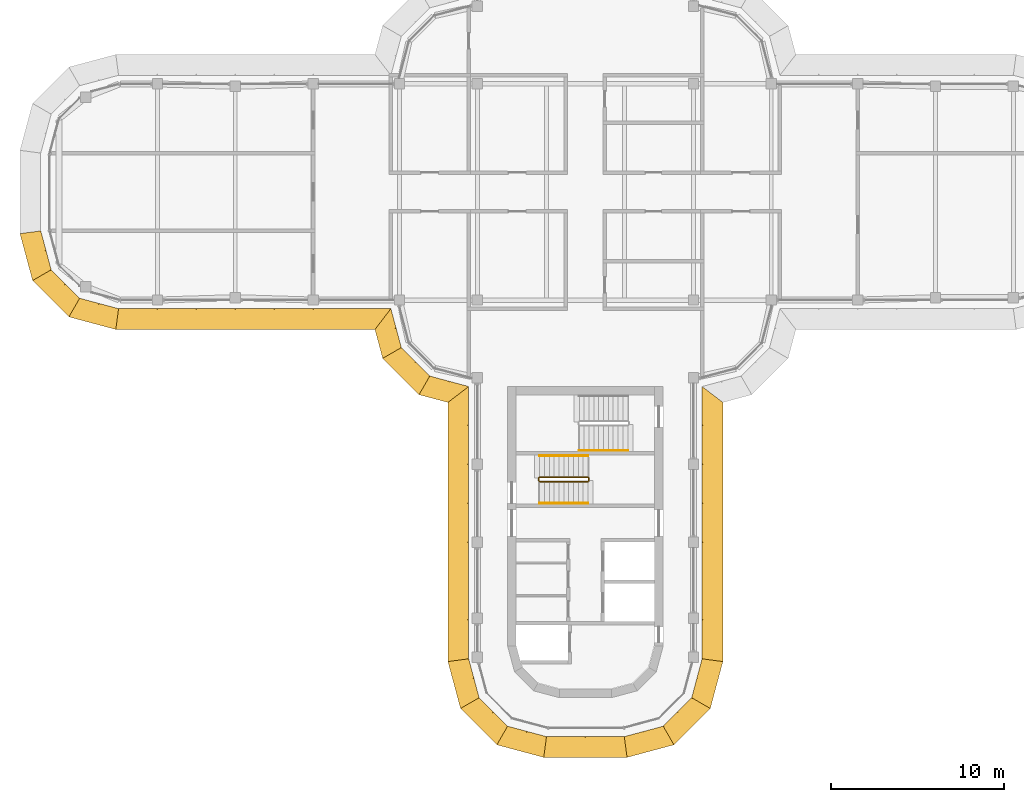
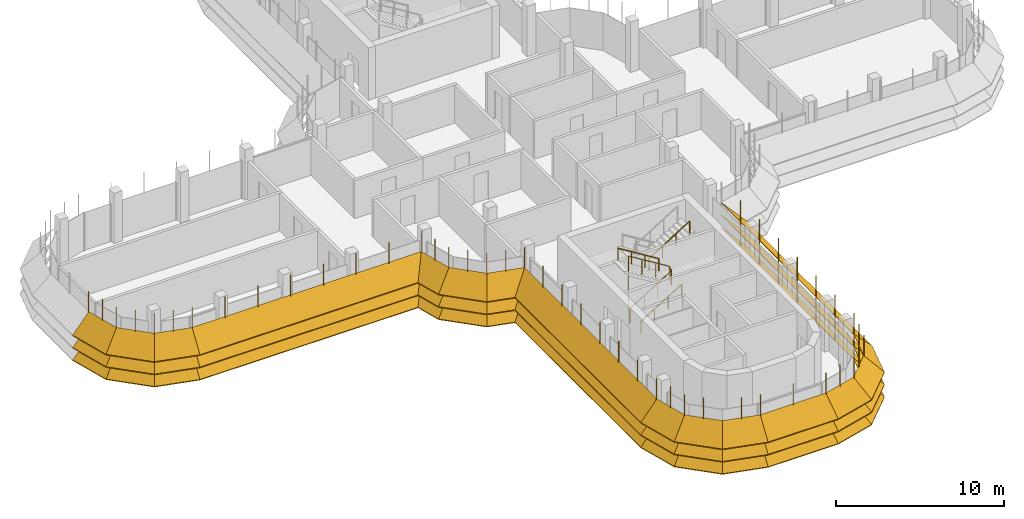
# One storey, part 16 of 19: 8 shading devices, 4 railings.
"""IFC4 building model written with IfcOpenShell, lengths in metres."""

from ifc_helpers import new_model, si_unit, direction, frame, origin, origin_2d, place, context, subcontext, project, spatial, polyline, circle, outline, extrude, faceted_brep, source, transform, mapped, material, type_object, element, save


model = new_model("IFC4")

# Units and contexts
model_context = context("Model", 3, precision=1e-05, world=origin(), true_north=direction((0.0, 1.0)))
body_context = subcontext(model_context, "Body", "Model", "MODEL_VIEW")
ifc_project = project(units=[si_unit("LENGTHUNIT", "METRE"), si_unit("AREAUNIT", "SQUARE_METRE"), si_unit("VOLUMEUNIT", "CUBIC_METRE"), si_unit("PLANEANGLEUNIT", "RADIAN"), si_unit("MASSUNIT", "GRAM", prefix="KILO")], contexts=[model_context])

# Site, building, storey
site_placement = place(None, origin())
site = spatial("IfcSite", under=ifc_project, at=site_placement, CompositionType="ELEMENT")
building_placement = place(site_placement, origin())
building = spatial("IfcBuilding", under=site, at=building_placement, Name="Zarbagh Exchange Tower", CompositionType="ELEMENT")
storey_placement = place(building_placement, frame((0.0, 0.0, 268.800048828125)))
storey = spatial("IfcBuildingStorey", under=building, at=storey_placement, Name="L66", CompositionType="ELEMENT", Elevation=268.800048828125)

# Railings
ifc_material_1 = material(Name="Stainless steel", Category="steel")
railing_type_1 = type_object("IfcRailingType", Name="Stair guard 1100 mm", PredefinedType="GUARDRAIL", material=ifc_material_1)
railing_1_placement = place(storey_placement, frame((-2.64990234375, -16.75, 0.172607421875)))
element("IfcRailing", 1, at=railing_1_placement, inside=storey, type_object=railing_type_1, Name="ST3 stair guard 1", PredefinedType="GUARDRAIL", context=body_context, shape_type="SweptSolid", body=[
    extrude(circle(Radius=0.02392578125, at=origin_2d()), frame((0.0, 0.0, 1.076171875), z_axis=(0.851069175582, 0.0, 0.525053576669), x_axis=(0.0, 1.0, 0.0)), (0.0, 0.0, 1.0), 3.289794921875),
    extrude(circle(Radius=0.02392578125, at=origin_2d()), frame((2.7998046875, 0.0, 2.80322265625), z_axis=(0.707106781187, 0.707106781187, 0.0), x_axis=(-0.707106781187, 0.707106781187, 0.0)), (0.0, 0.0, 1.0), 0.07080078125),
    extrude(circle(Radius=0.02392578125, at=origin_2d()), frame((2.849853515625, 0.050048828125, 2.80322265625), z_axis=(0.0, 1.0, 0.0), x_axis=(-1.0, 0.0, 0.0)), (0.0, 0.0, 1.0), 0.14990234375),
    extrude(circle(Radius=0.02392578125, at=origin_2d()), frame((2.849853515625, 0.199951171875, 2.80322265625), z_axis=(-0.267953482034, 0.267953482034, 0.925419830635), x_axis=(-0.707106781187, -0.707106781187, 0.0)), (0.0, 0.0, 1.0), 0.186767578125),
    extrude(circle(Radius=0.02392578125, at=origin_2d()), frame((2.7998046875, 0.25, 2.97607421875), z_axis=(-0.851069175582, 0.0, 0.525053576669), x_axis=(0.0, -1.0, 0.0)), (0.0, 0.0, 1.0), 3.289794921875),
    extrude(circle(Radius=0.02392578125, at=origin_2d()), frame((0.0, 0.25, 4.70361328125), z_axis=(-0.013168290981, -0.013168290981, -0.999826581076), x_axis=(0.707106781187, -0.707106781187, 0.0)), (0.0, 0.0, 1.0), 3.80078125),
    extrude(circle(Radius=0.02392578125, at=origin_2d()), frame((-0.050048828125, 0.199951171875, 0.9033203125), z_axis=(0.0, -1.0, 0.0), x_axis=(1.0, 0.0, 0.0)), (0.0, 0.0, 1.0), 0.14990234375),
    extrude(circle(Radius=0.02099609375, at=origin_2d()), origin(), (0.0, 0.0, 1.0), 1.052001953125),
    extrude(circle(Radius=0.02099609375, at=origin_2d()), frame((0.933349609375, 0.0, 0.57568359375)), (0.0, 0.0, 1.0), 1.052001953125),
    extrude(circle(Radius=0.02099609375, at=origin_2d()), frame((1.866455078125, 0.0, 1.151611328125)), (0.0, 0.0, 1.0), 1.052001953125),
    extrude(circle(Radius=0.02099609375, at=origin_2d()), frame((2.7998046875, 0.0, 1.727294921875)), (0.0, 0.0, 1.0), 1.052001953125),
    extrude(circle(Radius=0.02099609375, at=origin_2d()), frame((2.849853515625, 0.050048828125, 1.727294921875)), (0.0, 0.0, 1.0), 1.052001953125),
    extrude(circle(Radius=0.02099609375, at=origin_2d()), frame((2.849853515625, 0.199951171875, 1.727294921875)), (0.0, 0.0, 1.0), 1.052001953125),
    extrude(circle(Radius=0.02099609375, at=origin_2d()), frame((2.7998046875, 0.25, 1.900146484375)), (0.0, 0.0, 1.0), 1.052001953125),
    extrude(circle(Radius=0.02099609375, at=origin_2d()), frame((1.866455078125, 0.25, 2.475830078125)), (0.0, 0.0, 1.0), 1.052001953125),
    extrude(circle(Radius=0.02099609375, at=origin_2d()), frame((0.933349609375, 0.25, 3.0517578125)), (0.0, 0.0, 1.0), 1.052001953125),
    extrude(circle(Radius=0.02099609375, at=origin_2d()), frame((0.0, 0.25, 3.62744140625)), (0.0, 0.0, 1.0), 1.052001953125),
    extrude(circle(Radius=0.02099609375, at=origin_2d()), frame((-0.012451171875, 0.237548828125, 2.677490234375)), (0.0, 0.0, 1.0), 1.052001953125),
    extrude(circle(Radius=0.02099609375, at=origin_2d()), frame((-0.02490234375, 0.22509765625, 1.7275390625)), (0.0, 0.0, 1.0), 1.052001953125),
    extrude(circle(Radius=0.02099609375, at=origin_2d()), frame((-0.03759765625, 0.21240234375, 0.77734375)), (0.0, 0.0, 1.0), 1.052001953125),
    extrude(circle(Radius=0.02099609375, at=origin_2d()), frame((-0.050048828125, 0.199951171875, -0.172607421875)), (0.0, 0.0, 1.0), 1.052001953125),
    extrude(circle(Radius=0.02099609375, at=origin_2d()), frame((-0.050048828125, 0.050048828125, -0.172607421875)), (0.0, 0.0, 1.0), 1.052001953125),
])
railing_type_2 = type_object("IfcRailingType", Name="Stair handrail 900 mm", PredefinedType="HANDRAIL", material=ifc_material_1)
railing_2_placement = place(storey_placement, frame((-2.64990234375, -18.0, 0.172607421875)))
element("IfcRailing", 2, at=railing_2_placement, inside=storey, type_object=railing_type_2, Name="ST3 stair handrail 1", PredefinedType="HANDRAIL", context=body_context, shape_type="SweptSolid", body=[
    extrude(circle(Radius=0.02392578125, at=origin_2d()), frame((0.0, 0.0, 0.8759765625), z_axis=(0.851069175582, 0.0, 0.525053576669), x_axis=(0.0, 1.0, 0.0)), (0.0, 0.0, 1.0), 3.289794921875),
    extrude(circle(Radius=0.02099609375, at=origin_2d()), origin(), (0.0, 0.0, 1.0), 0.851806640625),
    extrude(circle(Radius=0.02099609375, at=origin_2d()), frame((0.933349609375, 0.0, 0.57568359375)), (0.0, 0.0, 1.0), 0.851806640625),
    extrude(circle(Radius=0.02099609375, at=origin_2d()), frame((1.866455078125, 0.0, 1.151611328125)), (0.0, 0.0, 1.0), 0.851806640625),
    extrude(circle(Radius=0.02099609375, at=origin_2d()), frame((2.7998046875, 0.0, 1.727294921875)), (0.0, 0.0, 1.0), 0.851806640625),
])
railing_3_placement = place(storey_placement, frame((0.14990234375, -15.25, 2.07275390625)))
element("IfcRailing", 3, at=railing_3_placement, inside=storey, type_object=railing_type_2, Name="ST3 stair handrail 2", PredefinedType="HANDRAIL", context=body_context, shape_type="SweptSolid", body=[
    extrude(circle(Radius=0.02392578125, at=origin_2d()), frame((0.0, 0.0, 0.8759765625), z_axis=(-0.851069175582, 0.0, 0.525053576669), x_axis=(0.0, -1.0, 0.0)), (0.0, 0.0, 1.0), 3.289794921875),
    extrude(circle(Radius=0.02099609375, at=origin_2d()), origin(), (0.0, 0.0, 1.0), 0.851806640625),
    extrude(circle(Radius=0.02099609375, at=origin_2d()), frame((-0.933349609375, 0.0, 0.57568359375)), (0.0, 0.0, 1.0), 0.851806640625),
    extrude(circle(Radius=0.02099609375, at=origin_2d()), frame((-1.866455078125, 0.0, 1.151611328125)), (0.0, 0.0, 1.0), 0.851806640625),
    extrude(circle(Radius=0.02099609375, at=origin_2d()), frame((-2.7998046875, 0.0, 1.727294921875)), (0.0, 0.0, 1.0), 0.851806640625),
])
railing_4_placement = place(storey_placement, frame((-0.35009765625, -14.949951171875, 2.07275390625)))
element("IfcRailing", 4, at=railing_4_placement, inside=storey, type_object=railing_type_2, Name="ST4 stair handrail 2", PredefinedType="HANDRAIL", context=body_context, shape_type="SweptSolid", body=[
    extrude(circle(Radius=0.02392578125, at=origin_2d()), frame((0.0, 0.0, 0.8759765625), z_axis=(0.851089632645, 0.0, 0.525020415988), x_axis=(0.0, 1.0, 0.0)), (0.0, 0.0, 1.0), 3.2900390625),
    extrude(circle(Radius=0.02099609375, at=origin_2d()), origin(), (0.0, 0.0, 1.0), 0.851806640625),
    extrude(circle(Radius=0.02099609375, at=origin_2d()), frame((0.933349609375, 0.0, 0.57568359375)), (0.0, 0.0, 1.0), 0.851806640625),
    extrude(circle(Radius=0.02099609375, at=origin_2d()), frame((1.86669921875, 0.0, 1.151611328125)), (0.0, 0.0, 1.0), 0.851806640625),
    extrude(circle(Radius=0.02099609375, at=origin_2d()), frame((2.800048828125, 0.0, 1.727294921875)), (0.0, 0.0, 1.0), 0.851806640625),
])

# Shading devices
ifc_material_2 = material(Name="Anodised aluminium blades and brackets", Category="aluminium")
shading_device_type = type_object("IfcShadingDeviceType", Name="SUNSHADE louvre band, 45 degree blades", PredefinedType="JALOUSIE", material=ifc_material_2)
shared_shape_1 = source(origin(), body_context, "Body", "Brep", [
    faceted_brep([(0.0, 0.0, 0.0), (0.0, 0.0, -0.056640625), (-0.157958984375, -1.199951171875, -1.256591796875), (-0.157958984375, -1.199951171875, -1.199951171875), (2.65087890625, -1.199951171875, -1.199951171875), (2.65087890625, -1.199951171875, -1.256591796875), (2.329345703125, 0.0, -0.056640625), (2.329345703125, 0.0, 0.0)], [[[0, 1, 2, 3]], [[4, 5, 6, 7]], [[0, 7, 6, 1]], [[1, 6, 5, 2]], [[2, 5, 4, 3]], [[3, 4, 7, 0]]]),
])
shared_shape_2 = source(origin(), body_context, "Body", "Brep", [
    faceted_brep([(0.0, 0.0, 0.0), (0.0, 0.0, -0.056640625), (-0.321533203125, -1.199951171875, -1.256591796875), (-0.321533203125, -1.199951171875, -1.199951171875), (2.65087890625, -1.199951171875, -1.199951171875), (2.65087890625, -1.199951171875, -1.256591796875), (2.329345703125, 0.0, -0.056640625), (2.329345703125, 0.0, 0.0)], [[[0, 1, 2, 3]], [[4, 5, 6, 7]], [[0, 7, 6, 1]], [[1, 6, 5, 2]], [[2, 5, 4, 3]], [[3, 4, 7, 0]]]),
])
shared_shape_3 = source(origin(), body_context, "Body", "Brep", [
    faceted_brep([(0.0, 0.0, 0.0), (0.0, 0.0, -0.056640625), (-0.321533203125, -1.199951171875, -1.256591796875), (-0.321533203125, -1.199951171875, -1.199951171875), (2.4873046875, -1.199951171875, -1.199951171875), (2.4873046875, -1.199951171875, -1.256591796875), (2.329345703125, 0.0, -0.056640625), (2.329345703125, 0.0, 0.0)], [[[0, 1, 2, 3]], [[4, 5, 6, 7]], [[0, 7, 6, 1]], [[1, 6, 5, 2]], [[2, 5, 4, 3]], [[3, 4, 7, 0]]]),
])
shared_shape_4 = source(origin(), body_context, "Body", "SweptSolid", [
    extrude(outline(polyline([(0.0, -0.012451171875), (0.06005859375, -0.012451171875), (0.06005859375, 0.012451171875), (0.0, 0.012451171875), (0.0, -0.012451171875)])), origin(), (0.0, 0.0, 1.0), 3.366455078125),
])
placement = place(storey_placement, origin())
element("IfcShadingDevice", 5, at=placement, inside=storey, type_object=shading_device_type, Name="SS35 sunshade band", PredefinedType="JALOUSIE", context=body_context, shape_type="MappedRepresentation", body=[
    mapped(shared_shape_1, transform((2.25, -31.5, 2.300048828125), x_axis=(0.965924289636, 0.258824779902, 0.0), y_axis=(-0.258824779902, 0.965924289636, 0.0), z_axis=(0.0, 0.0, 1.0))),
    mapped(shared_shape_1, transform((2.25, -31.5, 1.39990234375), x_axis=(0.965924289636, 0.258824779902, 0.0), y_axis=(-0.258824779902, 0.965924289636, 0.0), z_axis=(0.0, 0.0, 1.0))),
    mapped(shared_shape_1, transform((2.25, -31.5, 0.5), x_axis=(0.965924289636, 0.258824779902, 0.0), y_axis=(-0.258824779902, 0.965924289636, 0.0), z_axis=(0.0, 0.0, 1.0))),
    mapped(shared_shape_2, transform((4.5, -30.897216796875, 2.300048828125), x_axis=(0.707106781187, 0.707106781187, 0.0), y_axis=(-0.707106781187, 0.707106781187, 0.0), z_axis=(0.0, 0.0, 1.0))),
    mapped(shared_shape_2, transform((4.5, -30.897216796875, 1.39990234375), x_axis=(0.707106781187, 0.707106781187, 0.0), y_axis=(-0.707106781187, 0.707106781187, 0.0), z_axis=(0.0, 0.0, 1.0))),
    mapped(shared_shape_2, transform((4.5, -30.897216796875, 0.5), x_axis=(0.707106781187, 0.707106781187, 0.0), y_axis=(-0.707106781187, 0.707106781187, 0.0), z_axis=(0.0, 0.0, 1.0))),
    mapped(shared_shape_3, transform((6.147216796875, -29.25, 2.300048828125), x_axis=(0.258824779902, 0.965924289636, 0.0), y_axis=(-0.965924289636, 0.258824779902, 0.0), z_axis=(0.0, 0.0, 1.0))),
    mapped(shared_shape_3, transform((6.147216796875, -29.25, 1.39990234375), x_axis=(0.258824779902, 0.965924289636, 0.0), y_axis=(-0.965924289636, 0.258824779902, 0.0), z_axis=(0.0, 0.0, 1.0))),
    mapped(shared_shape_3, transform((6.147216796875, -29.25, 0.5), x_axis=(0.258824779902, 0.965924289636, 0.0), y_axis=(-0.965924289636, 0.258824779902, 0.0), z_axis=(0.0, 0.0, 1.0))),
    mapped(shared_shape_4, transform((2.25, -31.5, 0.413330078125), x_axis=(0.130529263012, -0.991444457092, 0.0), y_axis=(0.991444457092, 0.130529263012, 0.0), z_axis=(0.0, 0.0, 1.0))),
    mapped(shared_shape_4, transform((3.375, -31.198486328125, 0.413330078125), x_axis=(0.258825058029, -0.96592421511, 0.0), y_axis=(0.96592421511, 0.258825058029, 0.0), z_axis=(0.0, 0.0, 1.0))),
    mapped(shared_shape_4, transform((4.5, -30.897216796875, 0.413330078125), x_axis=(0.50000275701, -0.866023812018, 0.0), y_axis=(0.866023812018, 0.50000275701, 0.0), z_axis=(0.0, 0.0, 1.0))),
    mapped(shared_shape_4, transform((5.323486328125, -30.073486328125, 0.413330078125), x_axis=(0.707106781187, -0.707106781187, 0.0), y_axis=(0.707106781187, 0.707106781187, 0.0), z_axis=(0.0, 0.0, 1.0))),
    mapped(shared_shape_4, transform((6.147216796875, -29.25, 0.413330078125), x_axis=(0.866023812018, -0.50000275701, 0.0), y_axis=(0.50000275701, 0.866023812018, 0.0), z_axis=(0.0, 0.0, 1.0))),
    mapped(shared_shape_4, transform((6.448486328125, -28.125, 0.413330078125), x_axis=(0.96592421511, -0.258825058029, 0.0), y_axis=(0.258825058029, 0.96592421511, 0.0), z_axis=(0.0, 0.0, 1.0))),
])
element("IfcShadingDevice", 6, at=placement, inside=storey, type_object=shading_device_type, Name="SS43 sunshade band", PredefinedType="JALOUSIE", context=body_context, shape_type="MappedRepresentation", body=[
    mapped(shared_shape_1, transform((-31.5, -2.25, 2.300048828125), x_axis=(0.258824779902, -0.965924289636, 0.0), y_axis=(0.965924289636, 0.258824779902, 0.0), z_axis=(0.0, 0.0, 1.0))),
    mapped(shared_shape_1, transform((-31.5, -2.25, 1.39990234375), x_axis=(0.258824779902, -0.965924289636, 0.0), y_axis=(0.965924289636, 0.258824779902, 0.0), z_axis=(0.0, 0.0, 1.0))),
    mapped(shared_shape_1, transform((-31.5, -2.25, 0.5), x_axis=(0.258824779902, -0.965924289636, 0.0), y_axis=(0.965924289636, 0.258824779902, 0.0), z_axis=(0.0, 0.0, 1.0))),
    mapped(shared_shape_2, transform((-30.897216796875, -4.5, 2.300048828125), x_axis=(0.707106781187, -0.707106781187, 0.0), y_axis=(0.707106781187, 0.707106781187, 0.0), z_axis=(0.0, 0.0, 1.0))),
    mapped(shared_shape_2, transform((-30.897216796875, -4.5, 1.39990234375), x_axis=(0.707106781187, -0.707106781187, 0.0), y_axis=(0.707106781187, 0.707106781187, 0.0), z_axis=(0.0, 0.0, 1.0))),
    mapped(shared_shape_2, transform((-30.897216796875, -4.5, 0.5), x_axis=(0.707106781187, -0.707106781187, 0.0), y_axis=(0.707106781187, 0.707106781187, 0.0), z_axis=(0.0, 0.0, 1.0))),
    mapped(shared_shape_3, transform((-29.25, -6.147216796875, 2.300048828125), x_axis=(0.965924289636, -0.258824779902, 0.0), y_axis=(0.258824779902, 0.965924289636, 0.0), z_axis=(0.0, 0.0, 1.0))),
    mapped(shared_shape_3, transform((-29.25, -6.147216796875, 1.39990234375), x_axis=(0.965924289636, -0.258824779902, 0.0), y_axis=(0.258824779902, 0.965924289636, 0.0), z_axis=(0.0, 0.0, 1.0))),
    mapped(shared_shape_3, transform((-29.25, -6.147216796875, 0.5), x_axis=(0.965924289636, -0.258824779902, 0.0), y_axis=(0.258824779902, 0.965924289636, 0.0), z_axis=(0.0, 0.0, 1.0))),
    mapped(shared_shape_4, transform((-31.5, -2.25, 0.413330078125), x_axis=(-0.991444457092, -0.130529263012, 0.0), y_axis=(0.130529263012, -0.991444457092, 0.0), z_axis=(0.0, 0.0, 1.0))),
    mapped(shared_shape_4, transform((-31.198486328125, -3.375, 0.413330078125), x_axis=(-0.96592421511, -0.258825058029, 0.0), y_axis=(0.258825058029, -0.96592421511, 0.0), z_axis=(0.0, 0.0, 1.0))),
    mapped(shared_shape_4, transform((-30.897216796875, -4.5, 0.413330078125), x_axis=(-0.866023812018, -0.50000275701, 0.0), y_axis=(0.50000275701, -0.866023812018, 0.0), z_axis=(0.0, 0.0, 1.0))),
    mapped(shared_shape_4, transform((-30.073486328125, -5.323486328125, 0.413330078125), x_axis=(-0.707106781187, -0.707106781187, 0.0), y_axis=(0.707106781187, -0.707106781187, 0.0), z_axis=(0.0, 0.0, 1.0))),
    mapped(shared_shape_4, transform((-29.25, -6.147216796875, 0.413330078125), x_axis=(-0.50000275701, -0.866023812018, 0.0), y_axis=(0.866023812018, -0.50000275701, 0.0), z_axis=(0.0, 0.0, 1.0))),
    mapped(shared_shape_4, transform((-28.125, -6.448486328125, 0.413330078125), x_axis=(-0.258825058029, -0.96592421511, 0.0), y_axis=(0.96592421511, -0.258825058029, 0.0), z_axis=(0.0, 0.0, 1.0))),
])
element("IfcShadingDevice", 7, at=placement, inside=storey, type_object=shading_device_type, Name="SS38 sunshade band", PredefinedType="JALOUSIE", context=body_context, shape_type="MappedRepresentation", body=[
    mapped(shared_shape_1, transform((-6.75, -27.0, 2.300048828125), x_axis=(0.258824779902, -0.965924289636, 0.0), y_axis=(0.965924289636, 0.258824779902, 0.0), z_axis=(0.0, 0.0, 1.0))),
    mapped(shared_shape_1, transform((-6.75, -27.0, 1.39990234375), x_axis=(0.258824779902, -0.965924289636, 0.0), y_axis=(0.965924289636, 0.258824779902, 0.0), z_axis=(0.0, 0.0, 1.0))),
    mapped(shared_shape_1, transform((-6.75, -27.0, 0.5), x_axis=(0.258824779902, -0.965924289636, 0.0), y_axis=(0.965924289636, 0.258824779902, 0.0), z_axis=(0.0, 0.0, 1.0))),
    mapped(shared_shape_2, transform((-6.147216796875, -29.25, 2.300048828125), x_axis=(0.707106781187, -0.707106781187, 0.0), y_axis=(0.707106781187, 0.707106781187, 0.0), z_axis=(0.0, 0.0, 1.0))),
    mapped(shared_shape_2, transform((-6.147216796875, -29.25, 1.39990234375), x_axis=(0.707106781187, -0.707106781187, 0.0), y_axis=(0.707106781187, 0.707106781187, 0.0), z_axis=(0.0, 0.0, 1.0))),
    mapped(shared_shape_2, transform((-6.147216796875, -29.25, 0.5), x_axis=(0.707106781187, -0.707106781187, 0.0), y_axis=(0.707106781187, 0.707106781187, 0.0), z_axis=(0.0, 0.0, 1.0))),
    mapped(shared_shape_3, transform((-4.5, -30.897216796875, 2.300048828125), x_axis=(0.965924289636, -0.258824779902, 0.0), y_axis=(0.258824779902, 0.965924289636, 0.0), z_axis=(0.0, 0.0, 1.0))),
    mapped(shared_shape_3, transform((-4.5, -30.897216796875, 1.39990234375), x_axis=(0.965924289636, -0.258824779902, 0.0), y_axis=(0.258824779902, 0.965924289636, 0.0), z_axis=(0.0, 0.0, 1.0))),
    mapped(shared_shape_3, transform((-4.5, -30.897216796875, 0.5), x_axis=(0.965924289636, -0.258824779902, 0.0), y_axis=(0.258824779902, 0.965924289636, 0.0), z_axis=(0.0, 0.0, 1.0))),
    mapped(shared_shape_4, transform((-6.75, -27.0, 0.413330078125), x_axis=(-0.991444457092, -0.130529263012, 0.0), y_axis=(0.130529263012, -0.991444457092, 0.0), z_axis=(0.0, 0.0, 1.0))),
    mapped(shared_shape_4, transform((-6.448486328125, -28.125, 0.413330078125), x_axis=(-0.96592421511, -0.258825058029, 0.0), y_axis=(0.258825058029, -0.96592421511, 0.0), z_axis=(0.0, 0.0, 1.0))),
    mapped(shared_shape_4, transform((-6.147216796875, -29.25, 0.413330078125), x_axis=(-0.866023812018, -0.50000275701, 0.0), y_axis=(0.50000275701, -0.866023812018, 0.0), z_axis=(0.0, 0.0, 1.0))),
    mapped(shared_shape_4, transform((-5.323486328125, -30.073486328125, 0.413330078125), x_axis=(-0.707106781187, -0.707106781187, 0.0), y_axis=(0.707106781187, -0.707106781187, 0.0), z_axis=(0.0, 0.0, 1.0))),
    mapped(shared_shape_4, transform((-4.5, -30.897216796875, 0.413330078125), x_axis=(-0.50000275701, -0.866023812018, 0.0), y_axis=(0.866023812018, -0.50000275701, 0.0), z_axis=(0.0, 0.0, 1.0))),
    mapped(shared_shape_4, transform((-3.375, -31.198486328125, 0.413330078125), x_axis=(-0.258825058029, -0.96592421511, 0.0), y_axis=(0.96592421511, -0.258825058029, 0.0), z_axis=(0.0, 0.0, 1.0))),
])
shared_shape_5 = source(origin(), body_context, "Body", "Brep", [
    faceted_brep([(0.0, 0.0, 0.0), (0.0, 0.0, -0.056640625), (0.9208984375, -1.199951171875, -1.256591796875), (0.9208984375, -1.199951171875, -1.199951171875), (2.65087890625, -1.199951171875, -1.199951171875), (2.65087890625, -1.199951171875, -1.256591796875), (2.329345703125, 0.0, -0.056640625), (2.329345703125, 0.0, 0.0)], [[[0, 1, 2, 3]], [[4, 5, 6, 7]], [[0, 7, 6, 1]], [[1, 6, 5, 2]], [[2, 5, 4, 3]], [[3, 4, 7, 0]]]),
])
shared_shape_6 = source(origin(), body_context, "Body", "Brep", [
    faceted_brep([(0.0, 0.0, 0.0), (0.0, 0.0, -0.056640625), (-0.321533203125, -1.199951171875, -1.256591796875), (-0.321533203125, -1.199951171875, -1.199951171875), (1.40869140625, -1.199951171875, -1.199951171875), (1.40869140625, -1.199951171875, -1.256591796875), (2.329345703125, 0.0, -0.056640625), (2.329345703125, 0.0, 0.0)], [[[0, 1, 2, 3]], [[4, 5, 6, 7]], [[0, 7, 6, 1]], [[1, 6, 5, 2]], [[2, 5, 4, 3]], [[3, 4, 7, 0]]]),
])
element("IfcShadingDevice", 8, at=placement, inside=storey, type_object=shading_device_type, Name="SS21 sunshade band", PredefinedType="JALOUSIE", context=body_context, shape_type="MappedRepresentation", body=[
    mapped(shared_shape_5, transform((-11.25, -6.75, 2.300048828125), x_axis=(0.258824779902, -0.965924289636, 0.0), y_axis=(0.965924289636, 0.258824779902, 0.0), z_axis=(0.0, 0.0, 1.0))),
    mapped(shared_shape_5, transform((-11.25, -6.75, 1.39990234375), x_axis=(0.258824779902, -0.965924289636, 0.0), y_axis=(0.965924289636, 0.258824779902, 0.0), z_axis=(0.0, 0.0, 1.0))),
    mapped(shared_shape_5, transform((-11.25, -6.75, 0.5), x_axis=(0.258824779902, -0.965924289636, 0.0), y_axis=(0.965924289636, 0.258824779902, 0.0), z_axis=(0.0, 0.0, 1.0))),
    mapped(shared_shape_2, transform((-10.647216796875, -9.0, 2.300048828125), x_axis=(0.707106781187, -0.707106781187, 0.0), y_axis=(0.707106781187, 0.707106781187, 0.0), z_axis=(0.0, 0.0, 1.0))),
    mapped(shared_shape_2, transform((-10.647216796875, -9.0, 1.39990234375), x_axis=(0.707106781187, -0.707106781187, 0.0), y_axis=(0.707106781187, 0.707106781187, 0.0), z_axis=(0.0, 0.0, 1.0))),
    mapped(shared_shape_2, transform((-10.647216796875, -9.0, 0.5), x_axis=(0.707106781187, -0.707106781187, 0.0), y_axis=(0.707106781187, 0.707106781187, 0.0), z_axis=(0.0, 0.0, 1.0))),
    mapped(shared_shape_6, transform((-9.0, -10.647216796875, 2.300048828125), x_axis=(0.965924289636, -0.258824779902, 0.0), y_axis=(0.258824779902, 0.965924289636, 0.0), z_axis=(0.0, 0.0, 1.0))),
    mapped(shared_shape_6, transform((-9.0, -10.647216796875, 1.39990234375), x_axis=(0.965924289636, -0.258824779902, 0.0), y_axis=(0.258824779902, 0.965924289636, 0.0), z_axis=(0.0, 0.0, 1.0))),
    mapped(shared_shape_6, transform((-9.0, -10.647216796875, 0.5), x_axis=(0.965924289636, -0.258824779902, 0.0), y_axis=(0.258824779902, 0.965924289636, 0.0), z_axis=(0.0, 0.0, 1.0))),
    mapped(shared_shape_4, transform((-11.25, -6.75, 0.413330078125), x_axis=(-0.608758892, -0.793355287, 0.0), y_axis=(0.793355287, -0.608758892, 0.0), z_axis=(0.0, 0.0, 1.0))),
    mapped(shared_shape_4, transform((-10.948486328125, -7.875, 0.413330078125), x_axis=(-0.96592421511, -0.258825058029, 0.0), y_axis=(0.258825058029, -0.96592421511, 0.0), z_axis=(0.0, 0.0, 1.0))),
    mapped(shared_shape_4, transform((-10.647216796875, -9.0, 0.413330078125), x_axis=(-0.866023812018, -0.50000275701, 0.0), y_axis=(0.50000275701, -0.866023812018, 0.0), z_axis=(0.0, 0.0, 1.0))),
    mapped(shared_shape_4, transform((-9.823486328125, -9.823486328125, 0.413330078125), x_axis=(-0.707106781187, -0.707106781187, 0.0), y_axis=(0.707106781187, -0.707106781187, 0.0), z_axis=(0.0, 0.0, 1.0))),
    mapped(shared_shape_4, transform((-9.0, -10.647216796875, 0.413330078125), x_axis=(-0.50000275701, -0.866023812018, 0.0), y_axis=(0.866023812018, -0.50000275701, 0.0), z_axis=(0.0, 0.0, 1.0))),
    mapped(shared_shape_4, transform((-7.875, -10.948486328125, 0.413330078125), x_axis=(-0.258825058029, -0.96592421511, 0.0), y_axis=(0.96592421511, -0.258825058029, 0.0), z_axis=(0.0, 0.0, 1.0))),
])
shared_shape_7 = source(origin(), body_context, "Body", "Brep", [
    faceted_brep([(0.0, 0.0, 0.0), (0.0, 0.0, -0.056640625), (-0.157958984375, -1.199951171875, -1.256591796875), (-0.157958984375, -1.199951171875, -1.199951171875), (14.8291015625, -1.199951171875, -1.199951171875), (14.8291015625, -1.199951171875, -1.256591796875), (15.75, 0.0, -0.056640625), (15.75, 0.0, 0.0)], [[[0, 1, 2, 3]], [[4, 5, 6, 7]], [[0, 7, 6, 1]], [[1, 6, 5, 2]], [[2, 5, 4, 3]], [[3, 4, 7, 0]]]),
])
element("IfcShadingDevice", 9, at=placement, inside=storey, type_object=shading_device_type, Name="SS36 sunshade band", PredefinedType="JALOUSIE", context=body_context, shape_type="MappedRepresentation", body=[
    mapped(shared_shape_7, transform((6.75, -27.0, 2.300048828125), x_axis=(0.0, 1.0, 0.0), y_axis=(-1.0, 0.0, 0.0), z_axis=(0.0, 0.0, 1.0))),
    mapped(shared_shape_7, transform((6.75, -27.0, 1.39990234375), x_axis=(0.0, 1.0, 0.0), y_axis=(-1.0, 0.0, 0.0), z_axis=(0.0, 0.0, 1.0))),
    mapped(shared_shape_7, transform((6.75, -27.0, 0.5), x_axis=(0.0, 1.0, 0.0), y_axis=(-1.0, 0.0, 0.0), z_axis=(0.0, 0.0, 1.0))),
    mapped(shared_shape_4, transform((6.75, -27.0, 0.413330078125), x_axis=(0.991444457092, -0.130529263012, 0.0), y_axis=(0.130529263012, 0.991444457092, 0.0), z_axis=(0.0, 0.0, 1.0))),
    mapped(shared_shape_4, transform((6.75, -24.75, 0.413330078125), x_axis=(1.0, 0.0, 0.0), y_axis=(0.0, 1.0, 0.0), z_axis=(0.0, 0.0, 1.0))),
    mapped(shared_shape_4, transform((6.75, -22.5, 0.413330078125), x_axis=(1.0, 0.0, 0.0), y_axis=(0.0, 1.0, 0.0), z_axis=(0.0, 0.0, 1.0))),
    mapped(shared_shape_4, transform((6.75, -20.25, 0.413330078125), x_axis=(1.0, 0.0, 0.0), y_axis=(0.0, 1.0, 0.0), z_axis=(0.0, 0.0, 1.0))),
    mapped(shared_shape_4, transform((6.75, -18.0, 0.413330078125), x_axis=(1.0, 0.0, 0.0), y_axis=(0.0, 1.0, 0.0), z_axis=(0.0, 0.0, 1.0))),
    mapped(shared_shape_4, transform((6.75, -15.75, 0.413330078125), x_axis=(1.0, 0.0, 0.0), y_axis=(0.0, 1.0, 0.0), z_axis=(0.0, 0.0, 1.0))),
    mapped(shared_shape_4, transform((6.75, -13.5, 0.413330078125), x_axis=(1.0, 0.0, 0.0), y_axis=(0.0, 1.0, 0.0), z_axis=(0.0, 0.0, 1.0))),
])
element("IfcShadingDevice", 10, at=placement, inside=storey, type_object=shading_device_type, Name="SS44 sunshade band", PredefinedType="JALOUSIE", context=body_context, shape_type="MappedRepresentation", body=[
    mapped(shared_shape_7, transform((-27.0, -6.75, 2.300048828125), x_axis=(1.0, 0.0, 0.0), y_axis=(0.0, 1.0, 0.0), z_axis=(0.0, 0.0, 1.0))),
    mapped(shared_shape_7, transform((-27.0, -6.75, 1.39990234375), x_axis=(1.0, 0.0, 0.0), y_axis=(0.0, 1.0, 0.0), z_axis=(0.0, 0.0, 1.0))),
    mapped(shared_shape_7, transform((-27.0, -6.75, 0.5), x_axis=(1.0, 0.0, 0.0), y_axis=(0.0, 1.0, 0.0), z_axis=(0.0, 0.0, 1.0))),
    mapped(shared_shape_4, transform((-27.0, -6.75, 0.413330078125), x_axis=(-0.130529263012, -0.991444457092, 0.0), y_axis=(0.991444457092, -0.130529263012, 0.0), z_axis=(0.0, 0.0, 1.0))),
    mapped(shared_shape_4, transform((-24.75, -6.75, 0.413330078125), x_axis=(0.0, -1.0, 0.0), y_axis=(1.0, 0.0, 0.0), z_axis=(0.0, 0.0, 1.0))),
    mapped(shared_shape_4, transform((-22.5, -6.75, 0.413330078125), x_axis=(0.0, -1.0, 0.0), y_axis=(1.0, 0.0, 0.0), z_axis=(0.0, 0.0, 1.0))),
    mapped(shared_shape_4, transform((-20.25, -6.75, 0.413330078125), x_axis=(0.0, -1.0, 0.0), y_axis=(1.0, 0.0, 0.0), z_axis=(0.0, 0.0, 1.0))),
    mapped(shared_shape_4, transform((-18.0, -6.75, 0.413330078125), x_axis=(0.0, -1.0, 0.0), y_axis=(1.0, 0.0, 0.0), z_axis=(0.0, 0.0, 1.0))),
    mapped(shared_shape_4, transform((-15.75, -6.75, 0.413330078125), x_axis=(0.0, -1.0, 0.0), y_axis=(1.0, 0.0, 0.0), z_axis=(0.0, 0.0, 1.0))),
    mapped(shared_shape_4, transform((-13.5, -6.75, 0.413330078125), x_axis=(0.0, -1.0, 0.0), y_axis=(1.0, 0.0, 0.0), z_axis=(0.0, 0.0, 1.0))),
])
shared_shape_8 = source(origin(), body_context, "Body", "Brep", [
    faceted_brep([(0.0, 0.0, 0.0), (0.0, 0.0, -0.056640625), (0.9208984375, -1.199951171875, -1.256591796875), (0.9208984375, -1.199951171875, -1.199951171875), (15.907958984375, -1.199951171875, -1.199951171875), (15.907958984375, -1.199951171875, -1.256591796875), (15.75, 0.0, -0.056640625), (15.75, 0.0, 0.0)], [[[0, 1, 2, 3]], [[4, 5, 6, 7]], [[0, 7, 6, 1]], [[1, 6, 5, 2]], [[2, 5, 4, 3]], [[3, 4, 7, 0]]]),
])
element("IfcShadingDevice", 11, at=placement, inside=storey, type_object=shading_device_type, Name="SS37 sunshade band", PredefinedType="JALOUSIE", context=body_context, shape_type="MappedRepresentation", body=[
    mapped(shared_shape_8, transform((-6.75, -11.25, 2.300048828125), x_axis=(0.0, -1.0, 0.0), y_axis=(1.0, 0.0, 0.0), z_axis=(0.0, 0.0, 1.0))),
    mapped(shared_shape_8, transform((-6.75, -11.25, 1.39990234375), x_axis=(0.0, -1.0, 0.0), y_axis=(1.0, 0.0, 0.0), z_axis=(0.0, 0.0, 1.0))),
    mapped(shared_shape_8, transform((-6.75, -11.25, 0.5), x_axis=(0.0, -1.0, 0.0), y_axis=(1.0, 0.0, 0.0), z_axis=(0.0, 0.0, 1.0))),
    mapped(shared_shape_4, transform((-6.75, -11.25, 0.413330078125), x_axis=(-0.793355287, -0.608758892, 0.0), y_axis=(0.608758892, -0.793355287, 0.0), z_axis=(0.0, 0.0, 1.0))),
    mapped(shared_shape_4, transform((-6.75, -13.5, 0.413330078125), x_axis=(-1.0, 0.0, 0.0), y_axis=(0.0, -1.0, 0.0), z_axis=(0.0, 0.0, 1.0))),
    mapped(shared_shape_4, transform((-6.75, -15.75, 0.413330078125), x_axis=(-1.0, 0.0, 0.0), y_axis=(0.0, -1.0, 0.0), z_axis=(0.0, 0.0, 1.0))),
    mapped(shared_shape_4, transform((-6.75, -18.0, 0.413330078125), x_axis=(-1.0, 0.0, 0.0), y_axis=(0.0, -1.0, 0.0), z_axis=(0.0, 0.0, 1.0))),
    mapped(shared_shape_4, transform((-6.75, -20.25, 0.413330078125), x_axis=(-1.0, 0.0, 0.0), y_axis=(0.0, -1.0, 0.0), z_axis=(0.0, 0.0, 1.0))),
    mapped(shared_shape_4, transform((-6.75, -22.5, 0.413330078125), x_axis=(-1.0, 0.0, 0.0), y_axis=(0.0, -1.0, 0.0), z_axis=(0.0, 0.0, 1.0))),
    mapped(shared_shape_4, transform((-6.75, -24.75, 0.413330078125), x_axis=(-1.0, 0.0, 0.0), y_axis=(0.0, -1.0, 0.0), z_axis=(0.0, 0.0, 1.0))),
])
shared_shape_9 = source(origin(), body_context, "Body", "Brep", [
    faceted_brep([(0.0, 0.0, 0.0), (0.0, 0.0, -0.056640625), (-0.157958984375, -1.199951171875, -1.256591796875), (-0.157958984375, -1.199951171875, -1.199951171875), (4.657958984375, -1.199951171875, -1.199951171875), (4.657958984375, -1.199951171875, -1.256591796875), (4.5, 0.0, -0.056640625), (4.5, 0.0, 0.0)], [[[0, 1, 2, 3]], [[4, 5, 6, 7]], [[0, 7, 6, 1]], [[1, 6, 5, 2]], [[2, 5, 4, 3]], [[3, 4, 7, 0]]]),
])
element("IfcShadingDevice", 12, at=placement, inside=storey, type_object=shading_device_type, Name="SS39 sunshade band", PredefinedType="JALOUSIE", context=body_context, shape_type="MappedRepresentation", body=[
    mapped(shared_shape_9, transform((-2.25, -31.5, 2.300048828125), x_axis=(1.0, 0.0, 0.0), y_axis=(0.0, 1.0, 0.0), z_axis=(0.0, 0.0, 1.0))),
    mapped(shared_shape_9, transform((-2.25, -31.5, 1.39990234375), x_axis=(1.0, 0.0, 0.0), y_axis=(0.0, 1.0, 0.0), z_axis=(0.0, 0.0, 1.0))),
    mapped(shared_shape_9, transform((-2.25, -31.5, 0.5), x_axis=(1.0, 0.0, 0.0), y_axis=(0.0, 1.0, 0.0), z_axis=(0.0, 0.0, 1.0))),
    mapped(shared_shape_4, transform((-2.25, -31.5, 0.413330078125), x_axis=(-0.130529263012, -0.991444457092, 0.0), y_axis=(0.991444457092, -0.130529263012, 0.0), z_axis=(0.0, 0.0, 1.0))),
    mapped(shared_shape_4, transform((0.0, -31.5, 0.413330078125), x_axis=(0.0, -1.0, 0.0), y_axis=(1.0, 0.0, 0.0), z_axis=(0.0, 0.0, 1.0))),
])

save(model, "model.ifc")
